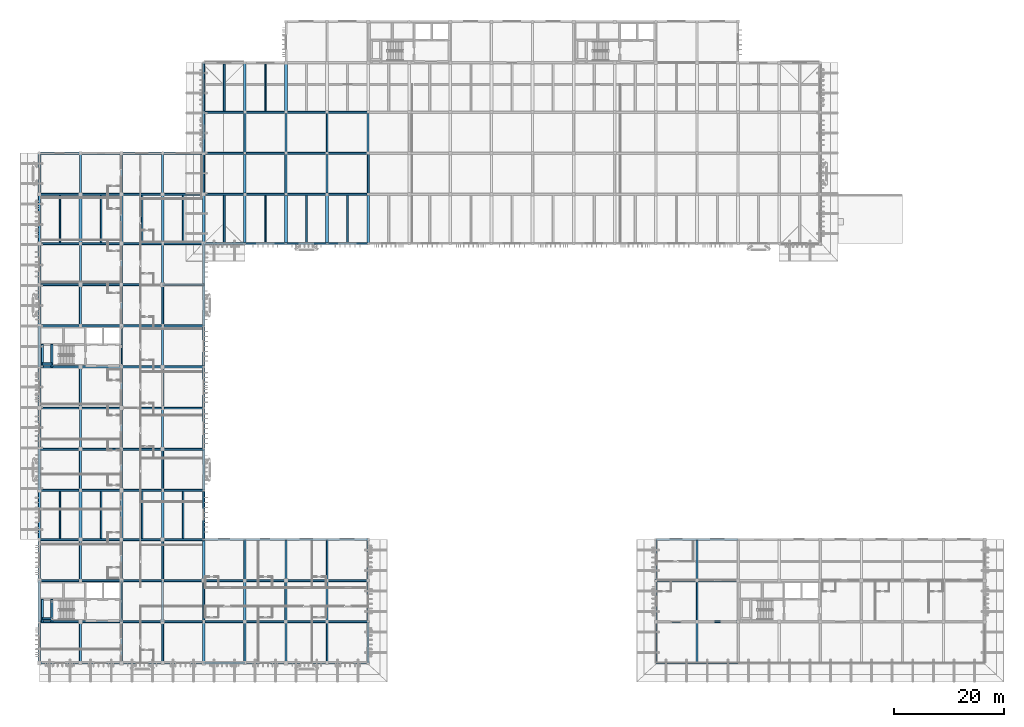
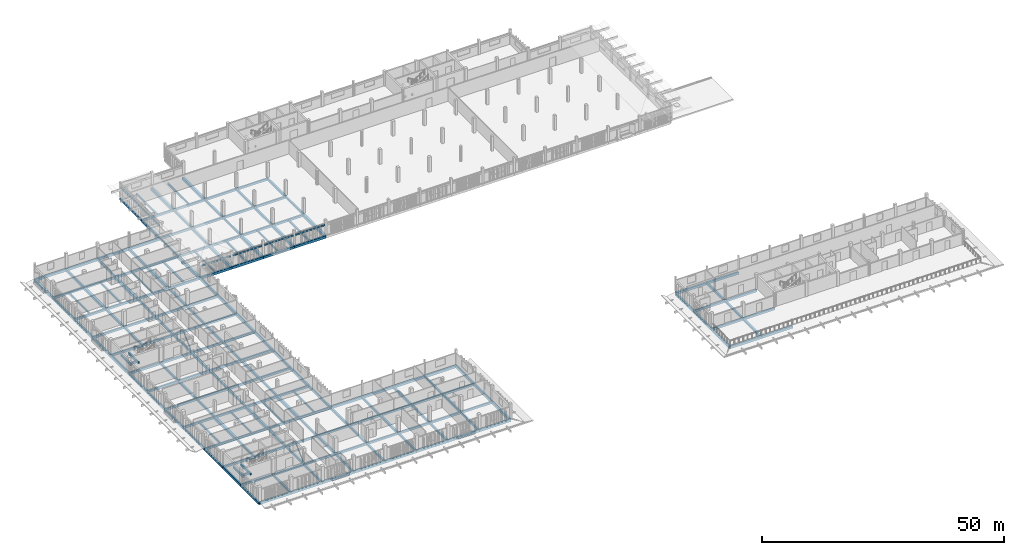
# One storey, part 8 of 43: 210 beams, 4 members.
"""IFC4 building model written with IfcOpenShell, lengths in metres."""

from ifc_helpers import new_model, si_unit, direction, frame, origin, origin_2d, place, context, subcontext, project, spatial, rectangle, hollow_rectangle, hollow_circle, extrude, material, material_profile, profile_set, type_object, element, save


model = new_model("IFC4")

# Units and contexts
model_context = context("Model", 3, precision=1e-05, world=origin(), true_north=direction((0.0, 1.0)))
body_context = subcontext(model_context, "Body", "Model", "MODEL_VIEW")
ifc_project = project(units=[si_unit("LENGTHUNIT", "METRE"), si_unit("AREAUNIT", "SQUARE_METRE"), si_unit("VOLUMEUNIT", "CUBIC_METRE"), si_unit("PLANEANGLEUNIT", "RADIAN"), si_unit("MASSUNIT", "GRAM", prefix="KILO")], contexts=[model_context])

# Site, building, storey
site_placement = place(None, origin())
site = spatial("IfcSite", under=ifc_project, at=site_placement, CompositionType="ELEMENT")
building_placement = place(site_placement, origin())
building = spatial("IfcBuilding", under=site, at=building_placement, Name="Dalvernix Boulevard General Hospital", CompositionType="ELEMENT")
storey_placement = place(building_placement, frame((0.0, 0.0, 14.10009765625)))
storey = spatial("IfcBuildingStorey", under=building, at=storey_placement, Name="L03", CompositionType="ELEMENT", Elevation=14.10009765625)

# Beams
ifc_material_1 = material(Name="Concrete C35/45", Category="concrete")
ifc_material_profile_1 = material_profile(ifc_material_1, rectangle(XDim=0.5, YDim=0.699951171875, at=origin_2d()), Name="RCB 500x700")
ifc_profile_set_1 = profile_set([ifc_material_profile_1], Name="Concrete C35/45")
beam_type_1 = type_object("IfcBeamType", Name="BM-B-01-I", PredefinedType="BEAM", material=ifc_profile_set_1)
for number, where, z_axis, x_axis, name in (
    (1, (7.5, 22.5, -0.60009765625), (0.0, 1.0, 0.0), (-1.0, 0.0, 0.0), "L03 N-S girder 2:D-E"),
    (2, (7.5, 76.5, -0.60009765625), (0.0, 1.0, 0.0), (-1.0, 0.0, 0.0), "L03 N-S girder 2:L-M"),
    (3, (15.0, 22.5, -0.60009765625), (0.0, 1.0, 0.0), (-1.0, 0.0, 0.0), "L03 N-S girder 3:D-E"),
    (4, (15.0, 76.5, -0.60009765625), (0.0, 1.0, 0.0), (-1.0, 0.0, 0.0), "L03 N-S girder 3:L-M"),
    (5, (22.5, 22.5, -0.60009765625), (0.0, 1.0, 0.0), (-1.0, 0.0, 0.0), "L03 N-S girder 4:D-E"),
    (6, (22.5, 76.5, -0.60009765625), (0.0, 1.0, 0.0), (-1.0, 0.0, 0.0), "L03 N-S girder 4:L-M"),
    (7, (30.0, 76.5, -0.60009765625), (0.0, 1.0, 0.0), (-1.0, 0.0, 0.0), "L03 N-S girder 5:L-M"),
    (8, (37.5, 76.5, -0.60009765625), (0.0, 1.0, 0.0), (-1.0, 0.0, 0.0), "L03 N-S girder 6:L-M"),
    (9, (37.5, 100.5, -0.60009765625), (0.0, 1.0, 0.0), (-1.0, 0.0, 0.0), "L03 N-S girder 6:P-Q"),
    (10, (45.0, 76.5, -0.60009765625), (0.0, 1.0, 0.0), (-1.0, 0.0, 0.0), "L03 N-S girder 7:L-M"),
    (11, (45.0, 100.5, -0.60009765625), (0.0, 1.0, 0.0), (-1.0, 0.0, 0.0), "L03 N-S girder 7:P-Q"),
    (12, (52.5, 76.5, -0.60009765625), (0.0, 1.0, 0.0), (-1.0, 0.0, 0.0), "L03 N-S girder 8:L-M"),
    (13, (60.0, 76.5, -0.60009765625), (0.0, 1.0, 0.0), (-1.0, 0.0, 0.0), "L03 N-S girder 9:L-M"),
):
    element("IfcBeam", number, at=place(storey_placement, frame(where, z_axis=z_axis, x_axis=x_axis)), inside=storey, type_object=beam_type_1, Name=name, PredefinedType="BEAM", context=body_context, shape_type="SweptSolid", body=[
        extrude(rectangle(XDim=0.5, YDim=0.699951171875, at=origin_2d()), origin(), (0.0, 0.0, 1.0), 9.0),
    ])
ifc_material_profile_2 = material_profile(ifc_material_1, rectangle(XDim=0.39990234375, YDim=0.550048828125, at=origin_2d()), Name="RCB 400x550")
ifc_profile_set_2 = profile_set([ifc_material_profile_2], Name="Concrete C35/45")
beam_type_2 = type_object("IfcBeamType", Name="BM-B-06-I", PredefinedType="BEAM", material=ifc_profile_set_2)
for number, where, z_axis, x_axis, name in (
    (14, (7.5, 39.0, -0.525146484375), (0.0, 1.0, 0.0), (-1.0, 0.0, 0.0), "L03 N-S girder 2:F-G"),
    (15, (7.5, 69.0, -0.525146484375), (0.0, 1.0, 0.0), (-1.0, 0.0, 0.0), "L03 N-S girder 2:K-L"),
    (16, (7.5, 85.5, -0.525146484375), (0.0, 1.0, 0.0), (-1.0, 0.0, 0.0), "L03 N-S girder 2:M-N"),
    (17, (15.0, 0.0, -0.525146484375), (0.0, 1.0, 0.0), (-1.0, 0.0, 0.0), "L03 N-S girder 3:A-B"),
    (18, (15.0, 15.0, -0.525146484375), (0.0, 1.0, 0.0), (-1.0, 0.0, 0.0), "L03 N-S girder 3:C-D"),
    (19, (15.0, 31.5, -0.525146484375), (0.0, 1.0, 0.0), (-1.0, 0.0, 0.0), "L03 N-S girder 3:E-F"),
    (20, (15.0, 46.5, -0.525146484375), (0.0, 1.0, 0.0), (-1.0, 0.0, 0.0), "L03 N-S girder 3:G-H"),
    (21, (15.0, 61.5, -0.525146484375), (0.0, 1.0, 0.0), (-1.0, 0.0, 0.0), "L03 N-S girder 3:J-K"),
    (22, (22.5, 7.5, -0.525146484375), (0.0, 1.0, 0.0), (-1.0, 0.0, 0.0), "L03 N-S girder 4:B-C"),
    (23, (22.5, 39.0, -0.525146484375), (0.0, 1.0, 0.0), (-1.0, 0.0, 0.0), "L03 N-S girder 4:F-G"),
    (24, (22.5, 54.0, -0.525146484375), (0.0, 1.0, 0.0), (-1.0, 0.0, 0.0), "L03 N-S girder 4:H-J"),
    (25, (22.5, 69.0, -0.525146484375), (0.0, 1.0, 0.0), (-1.0, 0.0, 0.0), "L03 N-S girder 4:K-L"),
    (26, (22.5, 85.5, -0.525146484375), (0.0, 1.0, 0.0), (-1.0, 0.0, 0.0), "L03 N-S girder 4:M-N"),
    (27, (30.0, 0.0, -0.525146484375), (0.0, 1.0, 0.0), (-1.0, 0.0, 0.0), "L03 N-S girder 5:A-B"),
    (28, (30.0, 15.0, -0.525146484375), (0.0, 1.0, 0.0), (-1.0, 0.0, 0.0), "L03 N-S girder 5:C-D"),
    (29, (37.5, 7.5, -0.525146484375), (0.0, 1.0, 0.0), (-1.0, 0.0, 0.0), "L03 N-S girder 6:B-C"),
    (30, (37.5, 85.5, -0.525146484375), (0.0, 1.0, 0.0), (-1.0, 0.0, 0.0), "L03 N-S girder 6:M-N"),
    (31, (45.0, 0.0, -0.525146484375), (0.0, 1.0, 0.0), (-1.0, 0.0, 0.0), "L03 N-S girder 7:A-B"),
    (32, (45.0, 15.0, -0.525146484375), (0.0, 1.0, 0.0), (-1.0, 0.0, 0.0), "L03 N-S girder 7:C-D"),
    (33, (45.0, 93.0, -0.525146484375), (0.0, 1.0, 0.0), (-1.0, 0.0, 0.0), "L03 N-S girder 7:N-P"),
    (34, (52.5, 7.5, -0.525146484375), (0.0, 1.0, 0.0), (-1.0, 0.0, 0.0), "L03 N-S girder 8:B-C"),
    (35, (52.5, 85.5, -0.525146484375), (0.0, 1.0, 0.0), (-1.0, 0.0, 0.0), "L03 N-S girder 8:M-N"),
    (36, (60.0, 93.0, -0.525146484375), (0.0, 1.0, 0.0), (-1.0, 0.0, 0.0), "L03 N-S girder 9:N-P"),
    (37, (120.0, 0.0, -0.525146484375), (0.0, 1.0, 0.0), (-1.0, 0.0, 0.0), "L03 N-S girder 17:A-B"),
    (38, (120.0, 15.0, -0.525146484375), (0.0, 1.0, 0.0), (-1.0, 0.0, 0.0), "L03 N-S girder 17:C-D"),
):
    element("IfcBeam", number, at=place(storey_placement, frame(where, z_axis=z_axis, x_axis=x_axis)), inside=storey, type_object=beam_type_2, Name=name, PredefinedType="BEAM", context=body_context, shape_type="SweptSolid", body=[
        extrude(rectangle(XDim=0.39990234375, YDim=0.550048828125, at=origin_2d()), origin(), (0.0, 0.0, 1.0), 7.5),
    ])
ifc_material_profile_3 = material_profile(ifc_material_1, rectangle(XDim=0.35009765625, YDim=0.550048828125, at=origin_2d()), Name="RCB 350x550")
ifc_profile_set_3 = profile_set([ifc_material_profile_3], Name="Concrete C35/45")
beam_type_3 = type_object("IfcBeamType", Name="BM-B-07-I", PredefinedType="BEAM", material=ifc_profile_set_3)
for number, where, z_axis, x_axis, name in (
    (39, (0.0, 7.5, -0.525146484375), (1.0, 0.0, 0.0), (0.0, 1.0, 0.0), "L03 E-W girder B:1-2"),
    (40, (7.5, 7.5, -0.525146484375), (1.0, 0.0, 0.0), (0.0, 1.0, 0.0), "L03 E-W girder B:2-3"),
    (41, (15.0, 7.5, -0.525146484375), (1.0, 0.0, 0.0), (0.0, 1.0, 0.0), "L03 E-W girder B:3-4"),
    (42, (22.5, 7.5, -0.525146484375), (1.0, 0.0, 0.0), (0.0, 1.0, 0.0), "L03 E-W girder B:4-5"),
    (43, (30.0, 7.5, -0.525146484375), (1.0, 0.0, 0.0), (0.0, 1.0, 0.0), "L03 E-W girder B:5-6"),
    (44, (37.5, 7.5, -0.525146484375), (1.0, 0.0, 0.0), (0.0, 1.0, 0.0), "L03 E-W girder B:6-7"),
    (45, (45.0, 7.5, -0.525146484375), (1.0, 0.0, 0.0), (0.0, 1.0, 0.0), "L03 E-W girder B:7-8"),
    (46, (52.5, 7.5, -0.525146484375), (1.0, 0.0, 0.0), (0.0, 1.0, 0.0), "L03 E-W girder B:8-9"),
    (47, (112.5, 7.5, -0.525146484375), (1.0, 0.0, 0.0), (0.0, 1.0, 0.0), "L03 E-W girder B:16-17"),
    (48, (120.0, 7.5, -0.525146484375), (1.0, 0.0, 0.0), (0.0, 1.0, 0.0), "L03 E-W girder B:17-18"),
    (49, (0.0, 15.0, -0.525146484375), (1.0, 0.0, 0.0), (0.0, 1.0, 0.0), "L03 E-W girder C:1-2"),
    (50, (7.5, 15.0, -0.525146484375), (1.0, 0.0, 0.0), (0.0, 1.0, 0.0), "L03 E-W girder C:2-3"),
    (51, (15.0, 15.0, -0.525146484375), (1.0, 0.0, 0.0), (0.0, 1.0, 0.0), "L03 E-W girder C:3-4"),
    (52, (22.5, 15.0, -0.525146484375), (1.0, 0.0, 0.0), (0.0, 1.0, 0.0), "L03 E-W girder C:4-5"),
    (53, (30.0, 15.0, -0.525146484375), (1.0, 0.0, 0.0), (0.0, 1.0, 0.0), "L03 E-W girder C:5-6"),
    (54, (37.5, 15.0, -0.525146484375), (1.0, 0.0, 0.0), (0.0, 1.0, 0.0), "L03 E-W girder C:6-7"),
    (55, (45.0, 15.0, -0.525146484375), (1.0, 0.0, 0.0), (0.0, 1.0, 0.0), "L03 E-W girder C:7-8"),
    (56, (52.5, 15.0, -0.525146484375), (1.0, 0.0, 0.0), (0.0, 1.0, 0.0), "L03 E-W girder C:8-9"),
    (57, (112.5, 15.0, -0.525146484375), (1.0, 0.0, 0.0), (0.0, 1.0, 0.0), "L03 E-W girder C:16-17"),
    (58, (120.0, 15.0, -0.525146484375), (1.0, 0.0, 0.0), (0.0, 1.0, 0.0), "L03 E-W girder C:17-18"),
    (59, (0.0, 22.5, -0.525146484375), (1.0, 0.0, 0.0), (0.0, 1.0, 0.0), "L03 E-W girder D:1-2"),
    (60, (7.5, 22.5, -0.525146484375), (1.0, 0.0, 0.0), (0.0, 1.0, 0.0), "L03 E-W girder D:2-3"),
    (61, (15.0, 22.5, -0.525146484375), (1.0, 0.0, 0.0), (0.0, 1.0, 0.0), "L03 E-W girder D:3-4"),
    (62, (22.5, 22.5, -0.525146484375), (1.0, 0.0, 0.0), (0.0, 1.0, 0.0), "L03 E-W girder D:4-5"),
    (63, (0.0, 31.5, -0.525146484375), (1.0, 0.0, 0.0), (0.0, 1.0, 0.0), "L03 E-W girder E:1-2"),
    (64, (7.5, 31.5, -0.525146484375), (1.0, 0.0, 0.0), (0.0, 1.0, 0.0), "L03 E-W girder E:2-3"),
    (65, (15.0, 31.5, -0.525146484375), (1.0, 0.0, 0.0), (0.0, 1.0, 0.0), "L03 E-W girder E:3-4"),
    (66, (22.5, 31.5, -0.525146484375), (1.0, 0.0, 0.0), (0.0, 1.0, 0.0), "L03 E-W girder E:4-5"),
    (67, (0.0, 39.0, -0.525146484375), (1.0, 0.0, 0.0), (0.0, 1.0, 0.0), "L03 E-W girder F:1-2"),
    (68, (7.5, 39.0, -0.525146484375), (1.0, 0.0, 0.0), (0.0, 1.0, 0.0), "L03 E-W girder F:2-3"),
    (69, (15.0, 39.0, -0.525146484375), (1.0, 0.0, 0.0), (0.0, 1.0, 0.0), "L03 E-W girder F:3-4"),
    (70, (22.5, 39.0, -0.525146484375), (1.0, 0.0, 0.0), (0.0, 1.0, 0.0), "L03 E-W girder F:4-5"),
    (71, (0.0, 46.5, -0.525146484375), (1.0, 0.0, 0.0), (0.0, 1.0, 0.0), "L03 E-W girder G:1-2"),
    (72, (7.5, 46.5, -0.525146484375), (1.0, 0.0, 0.0), (0.0, 1.0, 0.0), "L03 E-W girder G:2-3"),
    (73, (15.0, 46.5, -0.525146484375), (1.0, 0.0, 0.0), (0.0, 1.0, 0.0), "L03 E-W girder G:3-4"),
    (74, (22.5, 46.5, -0.525146484375), (1.0, 0.0, 0.0), (0.0, 1.0, 0.0), "L03 E-W girder G:4-5"),
    (75, (0.0, 54.0, -0.525146484375), (1.0, 0.0, 0.0), (0.0, 1.0, 0.0), "L03 E-W girder H:1-2"),
    (76, (7.5, 54.0, -0.525146484375), (1.0, 0.0, 0.0), (0.0, 1.0, 0.0), "L03 E-W girder H:2-3"),
    (77, (15.0, 54.0, -0.525146484375), (1.0, 0.0, 0.0), (0.0, 1.0, 0.0), "L03 E-W girder H:3-4"),
    (78, (22.5, 54.0, -0.525146484375), (1.0, 0.0, 0.0), (0.0, 1.0, 0.0), "L03 E-W girder H:4-5"),
    (79, (0.0, 61.5, -0.525146484375), (1.0, 0.0, 0.0), (0.0, 1.0, 0.0), "L03 E-W girder J:1-2"),
    (80, (7.5, 61.5, -0.525146484375), (1.0, 0.0, 0.0), (0.0, 1.0, 0.0), "L03 E-W girder J:2-3"),
    (81, (15.0, 61.5, -0.525146484375), (1.0, 0.0, 0.0), (0.0, 1.0, 0.0), "L03 E-W girder J:3-4"),
    (82, (22.5, 61.5, -0.525146484375), (1.0, 0.0, 0.0), (0.0, 1.0, 0.0), "L03 E-W girder J:4-5"),
    (83, (0.0, 69.0, -0.525146484375), (1.0, 0.0, 0.0), (0.0, 1.0, 0.0), "L03 E-W girder K:1-2"),
    (84, (7.5, 69.0, -0.525146484375), (1.0, 0.0, 0.0), (0.0, 1.0, 0.0), "L03 E-W girder K:2-3"),
    (85, (15.0, 69.0, -0.525146484375), (1.0, 0.0, 0.0), (0.0, 1.0, 0.0), "L03 E-W girder K:3-4"),
    (86, (22.5, 69.0, -0.525146484375), (1.0, 0.0, 0.0), (0.0, 1.0, 0.0), "L03 E-W girder K:4-5"),
    (87, (0.0, 76.5, -0.525146484375), (1.0, 0.0, 0.0), (0.0, 1.0, 0.0), "L03 E-W girder L:1-2"),
    (88, (7.5, 76.5, -0.525146484375), (1.0, 0.0, 0.0), (0.0, 1.0, 0.0), "L03 E-W girder L:2-3"),
    (89, (15.0, 76.5, -0.525146484375), (1.0, 0.0, 0.0), (0.0, 1.0, 0.0), "L03 E-W girder L:3-4"),
    (90, (22.5, 76.5, -0.525146484375), (1.0, 0.0, 0.0), (0.0, 1.0, 0.0), "L03 E-W girder L:4-5"),
    (91, (0.0, 85.5, -0.525146484375), (1.0, 0.0, 0.0), (0.0, 1.0, 0.0), "L03 E-W girder M:1-2"),
    (92, (7.5, 85.5, -0.525146484375), (1.0, 0.0, 0.0), (0.0, 1.0, 0.0), "L03 E-W girder M:2-3"),
    (93, (15.0, 85.5, -0.525146484375), (1.0, 0.0, 0.0), (0.0, 1.0, 0.0), "L03 E-W girder M:3-4"),
    (94, (22.5, 85.5, -0.525146484375), (1.0, 0.0, 0.0), (0.0, 1.0, 0.0), "L03 E-W girder M:4-5"),
    (95, (30.0, 85.5, -0.525146484375), (1.0, 0.0, 0.0), (0.0, 1.0, 0.0), "L03 E-W girder M:5-6"),
    (96, (37.5, 85.5, -0.525146484375), (1.0, 0.0, 0.0), (0.0, 1.0, 0.0), "L03 E-W girder M:6-7"),
    (97, (45.0, 85.5, -0.525146484375), (1.0, 0.0, 0.0), (0.0, 1.0, 0.0), "L03 E-W girder M:7-8"),
    (98, (52.5, 85.5, -0.525146484375), (1.0, 0.0, 0.0), (0.0, 1.0, 0.0), "L03 E-W girder M:8-9"),
    (99, (30.0, 93.0, -0.525146484375), (1.0, 0.0, 0.0), (0.0, 1.0, 0.0), "L03 E-W girder N:5-6"),
    (100, (37.5, 93.0, -0.525146484375), (1.0, 0.0, 0.0), (0.0, 1.0, 0.0), "L03 E-W girder N:6-7"),
    (101, (45.0, 93.0, -0.525146484375), (1.0, 0.0, 0.0), (0.0, 1.0, 0.0), "L03 E-W girder N:7-8"),
    (102, (52.5, 93.0, -0.525146484375), (1.0, 0.0, 0.0), (0.0, 1.0, 0.0), "L03 E-W girder N:8-9"),
    (103, (30.0, 100.5, -0.525146484375), (1.0, 0.0, 0.0), (0.0, 1.0, 0.0), "L03 E-W girder P:5-6"),
    (104, (37.5, 100.5, -0.525146484375), (1.0, 0.0, 0.0), (0.0, 1.0, 0.0), "L03 E-W girder P:6-7"),
    (105, (45.0, 100.5, -0.525146484375), (1.0, 0.0, 0.0), (0.0, 1.0, 0.0), "L03 E-W girder P:7-8"),
    (106, (52.5, 100.5, -0.525146484375), (1.0, 0.0, 0.0), (0.0, 1.0, 0.0), "L03 E-W girder P:8-9"),
):
    element("IfcBeam", number, at=place(storey_placement, frame(where, z_axis=z_axis, x_axis=x_axis)), inside=storey, type_object=beam_type_3, Name=name, PredefinedType="BEAM", context=body_context, shape_type="SweptSolid", body=[
        extrude(rectangle(XDim=0.35009765625, YDim=0.550048828125, at=origin_2d()), origin(), (0.0, 0.0, 1.0), 7.5),
    ])
ifc_material_profile_4 = material_profile(ifc_material_1, rectangle(XDim=0.35009765625, YDim=0.5, at=origin_2d()), Name="RCB 350x500")
ifc_profile_set_4 = profile_set([ifc_material_profile_4], Name="Concrete C35/45")
beam_type_4 = type_object("IfcBeamType", Name="BM-B-08", PredefinedType="BEAM", material=ifc_profile_set_4)
for number, where, z_axis, x_axis, name in (
    (107, (0.550048828125, 7.5, 1.4248046875), (0.0, 1.0, 0.0), (-1.0, 0.0, 0.0), "L03 C1 stair half-landing beam 1"),
    (108, (2.300048828125, 7.5, 1.4248046875), (0.0, 1.0, 0.0), (-1.0, 0.0, 0.0), "L03 C1 stair half-landing beam 2"),
):
    element("IfcBeam", number, at=place(storey_placement, frame(where, z_axis=z_axis, x_axis=x_axis)), inside=storey, type_object=beam_type_4, Name=name, PredefinedType="BEAM", context=body_context, shape_type="SweptSolid", body=[
        extrude(rectangle(XDim=0.35009765625, YDim=0.5, at=origin_2d()), origin(), (0.0, 0.0, 1.0), 4.10009765625),
    ])
beam_1_placement = place(storey_placement, frame((0.550048828125, 8.050048828125, 1.4248046875), z_axis=(1.0, 0.0, 0.0), x_axis=(0.0, 1.0, 0.0)))
element("IfcBeam", 109, at=beam_1_placement, inside=storey, type_object=beam_type_4, Name="L03 C1 stair half-landing tie beam", PredefinedType="BEAM", context=body_context, shape_type="SweptSolid", body=[
    extrude(rectangle(XDim=0.35009765625, YDim=0.5, at=origin_2d()), origin(), (0.0, 0.0, 1.0), 1.75),
])
for number, where, z_axis, x_axis, name in (
    (110, (0.550048828125, 54.0, 1.4248046875), (0.0, 1.0, 0.0), (-1.0, 0.0, 0.0), "L03 C2 stair half-landing beam 1"),
    (111, (2.300048828125, 54.0, 1.4248046875), (0.0, 1.0, 0.0), (-1.0, 0.0, 0.0), "L03 C2 stair half-landing beam 2"),
):
    element("IfcBeam", number, at=place(storey_placement, frame(where, z_axis=z_axis, x_axis=x_axis)), inside=storey, type_object=beam_type_4, Name=name, PredefinedType="BEAM", context=body_context, shape_type="SweptSolid", body=[
        extrude(rectangle(XDim=0.35009765625, YDim=0.5, at=origin_2d()), origin(), (0.0, 0.0, 1.0), 4.10009765625),
    ])
beam_2_placement = place(storey_placement, frame((0.550048828125, 54.550048828125, 1.4248046875), z_axis=(1.0, 0.0, 0.0), x_axis=(0.0, 1.0, 0.0)))
element("IfcBeam", 112, at=beam_2_placement, inside=storey, type_object=beam_type_4, Name="L03 C2 stair half-landing tie beam", PredefinedType="BEAM", context=body_context, shape_type="SweptSolid", body=[
    extrude(rectangle(XDim=0.35009765625, YDim=0.5, at=origin_2d()), origin(), (0.0, 0.0, 1.0), 1.75),
])
ifc_material_profile_5 = material_profile(ifc_material_1, rectangle(XDim=0.35009765625, YDim=0.5, at=origin_2d()), Name="RCB 350x500")
ifc_profile_set_5 = profile_set([ifc_material_profile_5], Name="Concrete C35/45")
beam_type_5 = type_object("IfcBeamType", Name="BM-B-08-I", PredefinedType="BEAM", material=ifc_profile_set_5)
for number, where, z_axis, x_axis, name in (
    (113, (7.5, 0.0, -0.5), (0.0, 1.0, 0.0), (-1.0, 0.0, 0.0), "L03 N-S girder 2:A-B"),
    (114, (7.5, 15.0, -0.5), (0.0, 1.0, 0.0), (-1.0, 0.0, 0.0), "L03 N-S girder 2:C-D"),
    (115, (7.5, 31.5, -0.5), (0.0, 1.0, 0.0), (-1.0, 0.0, 0.0), "L03 N-S girder 2:E-F"),
    (116, (7.5, 46.5, -0.5), (0.0, 1.0, 0.0), (-1.0, 0.0, 0.0), "L03 N-S girder 2:G-H"),
    (117, (7.5, 61.5, -0.5), (0.0, 1.0, 0.0), (-1.0, 0.0, 0.0), "L03 N-S girder 2:J-K"),
    (118, (15.0, 7.5, -0.5), (0.0, 1.0, 0.0), (-1.0, 0.0, 0.0), "L03 N-S girder 3:B-C"),
    (119, (15.0, 39.0, -0.5), (0.0, 1.0, 0.0), (-1.0, 0.0, 0.0), "L03 N-S girder 3:F-G"),
    (120, (15.0, 54.0, -0.5), (0.0, 1.0, 0.0), (-1.0, 0.0, 0.0), "L03 N-S girder 3:H-J"),
    (121, (15.0, 69.0, -0.5), (0.0, 1.0, 0.0), (-1.0, 0.0, 0.0), "L03 N-S girder 3:K-L"),
    (122, (15.0, 85.5, -0.5), (0.0, 1.0, 0.0), (-1.0, 0.0, 0.0), "L03 N-S girder 3:M-N"),
    (123, (22.5, 0.0, -0.5), (0.0, 1.0, 0.0), (-1.0, 0.0, 0.0), "L03 N-S girder 4:A-B"),
    (124, (22.5, 15.0, -0.5), (0.0, 1.0, 0.0), (-1.0, 0.0, 0.0), "L03 N-S girder 4:C-D"),
    (125, (22.5, 31.5, -0.5), (0.0, 1.0, 0.0), (-1.0, 0.0, 0.0), "L03 N-S girder 4:E-F"),
    (126, (22.5, 46.5, -0.5), (0.0, 1.0, 0.0), (-1.0, 0.0, 0.0), "L03 N-S girder 4:G-H"),
    (127, (22.5, 61.5, -0.5), (0.0, 1.0, 0.0), (-1.0, 0.0, 0.0), "L03 N-S girder 4:J-K"),
    (128, (30.0, 7.5, -0.5), (0.0, 1.0, 0.0), (-1.0, 0.0, 0.0), "L03 N-S girder 5:B-C"),
    (129, (30.0, 85.5, -0.5), (0.0, 1.0, 0.0), (-1.0, 0.0, 0.0), "L03 N-S girder 5:M-N"),
    (130, (37.5, 0.0, -0.5), (0.0, 1.0, 0.0), (-1.0, 0.0, 0.0), "L03 N-S girder 6:A-B"),
    (131, (37.5, 15.0, -0.5), (0.0, 1.0, 0.0), (-1.0, 0.0, 0.0), "L03 N-S girder 6:C-D"),
    (132, (37.5, 93.0, -0.5), (0.0, 1.0, 0.0), (-1.0, 0.0, 0.0), "L03 N-S girder 6:N-P"),
    (133, (45.0, 7.5, -0.5), (0.0, 1.0, 0.0), (-1.0, 0.0, 0.0), "L03 N-S girder 7:B-C"),
    (134, (45.0, 85.5, -0.5), (0.0, 1.0, 0.0), (-1.0, 0.0, 0.0), "L03 N-S girder 7:M-N"),
    (135, (52.5, 0.0, -0.5), (0.0, 1.0, 0.0), (-1.0, 0.0, 0.0), "L03 N-S girder 8:A-B"),
    (136, (52.5, 15.0, -0.5), (0.0, 1.0, 0.0), (-1.0, 0.0, 0.0), "L03 N-S girder 8:C-D"),
    (137, (52.5, 93.0, -0.5), (0.0, 1.0, 0.0), (-1.0, 0.0, 0.0), "L03 N-S girder 8:N-P"),
    (138, (60.0, 85.5, -0.5), (0.0, 1.0, 0.0), (-1.0, 0.0, 0.0), "L03 N-S girder 9:M-N"),
    (139, (120.0, 7.5, -0.5), (0.0, 1.0, 0.0), (-1.0, 0.0, 0.0), "L03 N-S girder 17:B-C"),
):
    element("IfcBeam", number, at=place(storey_placement, frame(where, z_axis=z_axis, x_axis=x_axis)), inside=storey, type_object=beam_type_5, Name=name, PredefinedType="BEAM", context=body_context, shape_type="SweptSolid", body=[
        extrude(rectangle(XDim=0.35009765625, YDim=0.5, at=origin_2d()), origin(), (0.0, 0.0, 1.0), 7.5),
    ])
ifc_material_profile_6 = material_profile(ifc_material_1, rectangle(XDim=0.300048828125, YDim=0.39990234375, at=origin_2d()), Name="RCB 300x400")
ifc_profile_set_6 = profile_set([ifc_material_profile_6], Name="Concrete C35/45")
beam_type_6 = type_object("IfcBeamType", Name="BM-JB-01", PredefinedType="JOIST", material=ifc_profile_set_6)
for number, where, z_axis, x_axis, name in (
    (140, (3.75, 22.675048828125, -0.4501953125), (0.0, 1.0, 0.0), (-1.0, 0.0, 0.0), "L03 secondary floor beam 1-D"),
    (141, (3.75, 76.675048828125, -0.4501953125), (0.0, 1.0, 0.0), (-1.0, 0.0, 0.0), "L03 secondary floor beam 1-L"),
    (142, (11.25, 22.675048828125, -0.4501953125), (0.0, 1.0, 0.0), (-1.0, 0.0, 0.0), "L03 secondary floor beam 2-D"),
    (143, (11.25, 76.675048828125, -0.4501953125), (0.0, 1.0, 0.0), (-1.0, 0.0, 0.0), "L03 secondary floor beam 2-L"),
    (144, (18.75, 22.675048828125, -0.4501953125), (0.0, 1.0, 0.0), (-1.0, 0.0, 0.0), "L03 secondary floor beam 3-D"),
    (145, (18.75, 76.675048828125, -0.4501953125), (0.0, 1.0, 0.0), (-1.0, 0.0, 0.0), "L03 secondary floor beam 3-L"),
    (146, (26.25, 22.675048828125, -0.4501953125), (0.0, 1.0, 0.0), (-1.0, 0.0, 0.0), "L03 secondary floor beam 4-D"),
    (147, (26.25, 76.675048828125, -0.4501953125), (0.0, 1.0, 0.0), (-1.0, 0.0, 0.0), "L03 secondary floor beam 4-L"),
):
    element("IfcBeam", number, at=place(storey_placement, frame(where, z_axis=z_axis, x_axis=x_axis)), inside=storey, type_object=beam_type_6, Name=name, PredefinedType="JOIST", context=body_context, shape_type="SweptSolid", body=[
        extrude(rectangle(XDim=0.300048828125, YDim=0.39990234375, at=origin_2d()), origin(), (0.0, 0.0, 1.0), 8.64990234375),
    ])
for number, where, z_axis, x_axis, name in (
    (148, (33.75, 76.699951171875, -0.4501953125), (0.0, 1.0, 0.0), (-1.0, 0.0, 0.0), "L03 secondary floor beam 5-L"),
    (149, (33.75, 100.675048828125, -0.4501953125), (0.0, 1.0, 0.0), (-1.0, 0.0, 0.0), "L03 secondary floor beam 5-P"),
    (150, (41.25, 76.699951171875, -0.4501953125), (0.0, 1.0, 0.0), (-1.0, 0.0, 0.0), "L03 secondary floor beam 6-L"),
    (151, (41.25, 100.675048828125, -0.4501953125), (0.0, 1.0, 0.0), (-1.0, 0.0, 0.0), "L03 secondary floor beam 6-P"),
    (152, (48.75, 76.699951171875, -0.4501953125), (0.0, 1.0, 0.0), (-1.0, 0.0, 0.0), "L03 secondary floor beam 7-L"),
    (153, (56.25, 76.699951171875, -0.4501953125), (0.0, 1.0, 0.0), (-1.0, 0.0, 0.0), "L03 secondary floor beam 8-L"),
):
    element("IfcBeam", number, at=place(storey_placement, frame(where, z_axis=z_axis, x_axis=x_axis)), inside=storey, type_object=beam_type_6, Name=name, PredefinedType="JOIST", context=body_context, shape_type="SweptSolid", body=[
        extrude(rectangle(XDim=0.300048828125, YDim=0.39990234375, at=origin_2d()), origin(), (0.0, 0.0, 1.0), 8.625),
    ])
ifc_material_2 = material(Name="Precast concrete C40/50", Category="concrete")
ifc_material_profile_7 = material_profile(ifc_material_2, rectangle(XDim=0.300048828125, YDim=0.3798828125, at=origin_2d()), Name="RCL 300x380")
ifc_profile_set_7 = profile_set([ifc_material_profile_7], Name="Precast concrete C40/50")
beam_type_7 = type_object("IfcBeamType", Name="BM-LB-02", PredefinedType="LINTEL", material=ifc_profile_set_7)
beam_3_placement = place(storey_placement, frame((37.264892578125, 76.5, 2.489990234375), z_axis=(-1.0, 0.0, 0.0), x_axis=(0.0, -1.0, 0.0)))
element("IfcBeam", 154, at=beam_3_placement, inside=storey, type_object=beam_type_7, Name="L03 precast window lintel S 4-10", PredefinedType="LINTEL", context=body_context, shape_type="SweptSolid", body=[
    extrude(rectangle(XDim=0.300048828125, YDim=0.3798828125, at=origin_2d()), origin(), (0.0, 0.0, 1.0), 6.8798828125),
])
beam_4_placement = place(storey_placement, frame((30.0, 93.31005859375, 2.489990234375), z_axis=(0.0, 1.0, 0.0), x_axis=(-1.0, 0.0, 0.0)))
element("IfcBeam", 155, at=beam_4_placement, inside=storey, type_object=beam_type_7, Name="L03 precast window lintel W 4-12", PredefinedType="LINTEL", context=body_context, shape_type="SweptSolid", body=[
    extrude(rectangle(XDim=0.300048828125, YDim=0.3798828125, at=origin_2d()), origin(), (0.0, 0.0, 1.0), 6.954833984375),
])
beam_5_placement = place(storey_placement, frame((30.0, 100.735107421875, 2.489990234375), z_axis=(0.0, 1.0, 0.0), x_axis=(-1.0, 0.0, 0.0)))
element("IfcBeam", 156, at=beam_5_placement, inside=storey, type_object=beam_type_7, Name="L03 precast window lintel W 4-13", PredefinedType="LINTEL", context=body_context, shape_type="SweptSolid", body=[
    extrude(rectangle(XDim=0.300048828125, YDim=0.3798828125, at=origin_2d()), origin(), (0.0, 0.0, 1.0), 8.52978515625),
])
for number, where, z_axis, x_axis, name in (
    (157, (44.764892578125, 76.5, 2.489990234375), (-1.0, 0.0, 0.0), (0.0, -1.0, 0.0), "L03 precast window lintel S 5-10"),
    (158, (52.264892578125, 76.5, 2.489990234375), (-1.0, 0.0, 0.0), (0.0, -1.0, 0.0), "L03 precast window lintel S 6-10"),
    (159, (59.764892578125, 76.5, 2.489990234375), (-1.0, 0.0, 0.0), (0.0, -1.0, 0.0), "L03 precast window lintel S 7-10"),
):
    element("IfcBeam", number, at=place(storey_placement, frame(where, z_axis=z_axis, x_axis=x_axis)), inside=storey, type_object=beam_type_7, Name=name, PredefinedType="LINTEL", context=body_context, shape_type="SweptSolid", body=[
        extrude(rectangle(XDim=0.300048828125, YDim=0.3798828125, at=origin_2d()), origin(), (0.0, 0.0, 1.0), 7.02978515625),
    ])
ifc_material_profile_8 = material_profile(ifc_material_1, rectangle(XDim=0.35009765625, YDim=0.550048828125, at=origin_2d()), Name="RCB 350x550")
ifc_profile_set_8 = profile_set([ifc_material_profile_8], Name="Concrete C35/45")
beam_type_8 = type_object("IfcBeamType", Name="BM-SB-01-E", PredefinedType="SPANDREL", material=ifc_profile_set_8)
for number, where, z_axis, x_axis, name in (
    (160, (0.0, 22.5, -0.525146484375), (0.0, 1.0, 0.0), (-1.0, 0.0, 0.0), "L03 N-S girder 1:D-E"),
    (161, (0.0, 76.5, -0.525146484375), (0.0, 1.0, 0.0), (-1.0, 0.0, 0.0), "L03 N-S girder 1:L-M"),
    (162, (30.0, 22.5, -0.525146484375), (0.0, 1.0, 0.0), (-1.0, 0.0, 0.0), "L03 N-S girder 5:D-E"),
    (163, (30.0, 100.5, -0.525146484375), (0.0, 1.0, 0.0), (-1.0, 0.0, 0.0), "L03 N-S girder 5:P-Q"),
):
    element("IfcBeam", number, at=place(storey_placement, frame(where, z_axis=z_axis, x_axis=x_axis)), inside=storey, type_object=beam_type_8, Name=name, PredefinedType="SPANDREL", context=body_context, shape_type="SweptSolid", body=[
        extrude(rectangle(XDim=0.35009765625, YDim=0.550048828125, at=origin_2d()), origin(), (0.0, 0.0, 1.0), 9.0),
    ])
ifc_material_profile_9 = material_profile(ifc_material_1, rectangle(XDim=0.39990234375, YDim=0.60009765625, at=origin_2d()), Name="RCB 400x600")
ifc_profile_set_9 = profile_set([ifc_material_profile_9], Name="Concrete C35/45")
beam_type_9 = type_object("IfcBeamType", Name="BM-SB-02-E", PredefinedType="SPANDREL", material=ifc_profile_set_9)
for number, where, z_axis, x_axis, name in (
    (164, (0.0, 0.0, -0.550048828125), (1.0, 0.0, 0.0), (0.0, 1.0, 0.0), "L03 E-W girder A:1-2"),
    (165, (7.5, 0.0, -0.550048828125), (1.0, 0.0, 0.0), (0.0, 1.0, 0.0), "L03 E-W girder A:2-3"),
    (166, (15.0, 0.0, -0.550048828125), (1.0, 0.0, 0.0), (0.0, 1.0, 0.0), "L03 E-W girder A:3-4"),
    (167, (22.5, 0.0, -0.550048828125), (1.0, 0.0, 0.0), (0.0, 1.0, 0.0), "L03 E-W girder A:4-5"),
    (168, (30.0, 0.0, -0.550048828125), (1.0, 0.0, 0.0), (0.0, 1.0, 0.0), "L03 E-W girder A:5-6"),
    (169, (37.5, 0.0, -0.550048828125), (1.0, 0.0, 0.0), (0.0, 1.0, 0.0), "L03 E-W girder A:6-7"),
    (170, (45.0, 0.0, -0.550048828125), (1.0, 0.0, 0.0), (0.0, 1.0, 0.0), "L03 E-W girder A:7-8"),
    (171, (52.5, 0.0, -0.550048828125), (1.0, 0.0, 0.0), (0.0, 1.0, 0.0), "L03 E-W girder A:8-9"),
    (172, (112.5, 0.0, -0.550048828125), (1.0, 0.0, 0.0), (0.0, 1.0, 0.0), "L03 E-W girder A:16-17"),
    (173, (120.0, 0.0, -0.550048828125), (1.0, 0.0, 0.0), (0.0, 1.0, 0.0), "L03 E-W girder A:17-18"),
    (174, (30.0, 22.5, -0.550048828125), (1.0, 0.0, 0.0), (0.0, 1.0, 0.0), "L03 E-W girder D:5-6"),
    (175, (37.5, 22.5, -0.550048828125), (1.0, 0.0, 0.0), (0.0, 1.0, 0.0), "L03 E-W girder D:6-7"),
    (176, (45.0, 22.5, -0.550048828125), (1.0, 0.0, 0.0), (0.0, 1.0, 0.0), "L03 E-W girder D:7-8"),
    (177, (52.5, 22.5, -0.550048828125), (1.0, 0.0, 0.0), (0.0, 1.0, 0.0), "L03 E-W girder D:8-9"),
    (178, (112.5, 22.5, -0.550048828125), (1.0, 0.0, 0.0), (0.0, 1.0, 0.0), "L03 E-W girder D:16-17"),
    (179, (120.0, 22.5, -0.550048828125), (1.0, 0.0, 0.0), (0.0, 1.0, 0.0), "L03 E-W girder D:17-18"),
    (180, (30.0, 76.5, -0.550048828125), (1.0, 0.0, 0.0), (0.0, 1.0, 0.0), "L03 E-W girder L:5-6"),
    (181, (37.5, 76.5, -0.550048828125), (1.0, 0.0, 0.0), (0.0, 1.0, 0.0), "L03 E-W girder L:6-7"),
    (182, (45.0, 76.5, -0.550048828125), (1.0, 0.0, 0.0), (0.0, 1.0, 0.0), "L03 E-W girder L:7-8"),
    (183, (52.5, 76.5, -0.550048828125), (1.0, 0.0, 0.0), (0.0, 1.0, 0.0), "L03 E-W girder L:8-9"),
    (184, (0.0, 93.0, -0.550048828125), (1.0, 0.0, 0.0), (0.0, 1.0, 0.0), "L03 E-W girder N:1-2"),
    (185, (7.5, 93.0, -0.550048828125), (1.0, 0.0, 0.0), (0.0, 1.0, 0.0), "L03 E-W girder N:2-3"),
    (186, (15.0, 93.0, -0.550048828125), (1.0, 0.0, 0.0), (0.0, 1.0, 0.0), "L03 E-W girder N:3-4"),
    (187, (22.5, 93.0, -0.550048828125), (1.0, 0.0, 0.0), (0.0, 1.0, 0.0), "L03 E-W girder N:4-5"),
    (188, (0.0, 0.0, -0.550048828125), (0.0, 1.0, 0.0), (-1.0, 0.0, 0.0), "L03 N-S girder 1:A-B"),
    (189, (0.0, 7.5, -0.550048828125), (0.0, 1.0, 0.0), (-1.0, 0.0, 0.0), "L03 N-S girder 1:B-C"),
    (190, (0.0, 15.0, -0.550048828125), (0.0, 1.0, 0.0), (-1.0, 0.0, 0.0), "L03 N-S girder 1:C-D"),
    (191, (0.0, 31.5, -0.550048828125), (0.0, 1.0, 0.0), (-1.0, 0.0, 0.0), "L03 N-S girder 1:E-F"),
    (192, (0.0, 39.0, -0.550048828125), (0.0, 1.0, 0.0), (-1.0, 0.0, 0.0), "L03 N-S girder 1:F-G"),
    (193, (0.0, 46.5, -0.550048828125), (0.0, 1.0, 0.0), (-1.0, 0.0, 0.0), "L03 N-S girder 1:G-H"),
    (194, (0.0, 54.0, -0.550048828125), (0.0, 1.0, 0.0), (-1.0, 0.0, 0.0), "L03 N-S girder 1:H-J"),
    (195, (0.0, 61.5, -0.550048828125), (0.0, 1.0, 0.0), (-1.0, 0.0, 0.0), "L03 N-S girder 1:J-K"),
    (196, (0.0, 69.0, -0.550048828125), (0.0, 1.0, 0.0), (-1.0, 0.0, 0.0), "L03 N-S girder 1:K-L"),
    (197, (0.0, 85.5, -0.550048828125), (0.0, 1.0, 0.0), (-1.0, 0.0, 0.0), "L03 N-S girder 1:M-N"),
    (198, (30.0, 31.5, -0.550048828125), (0.0, 1.0, 0.0), (-1.0, 0.0, 0.0), "L03 N-S girder 5:E-F"),
    (199, (30.0, 39.0, -0.550048828125), (0.0, 1.0, 0.0), (-1.0, 0.0, 0.0), "L03 N-S girder 5:F-G"),
    (200, (30.0, 46.5, -0.550048828125), (0.0, 1.0, 0.0), (-1.0, 0.0, 0.0), "L03 N-S girder 5:G-H"),
    (201, (30.0, 54.0, -0.550048828125), (0.0, 1.0, 0.0), (-1.0, 0.0, 0.0), "L03 N-S girder 5:H-J"),
    (202, (30.0, 61.5, -0.550048828125), (0.0, 1.0, 0.0), (-1.0, 0.0, 0.0), "L03 N-S girder 5:J-K"),
    (203, (30.0, 69.0, -0.550048828125), (0.0, 1.0, 0.0), (-1.0, 0.0, 0.0), "L03 N-S girder 5:K-L"),
    (204, (30.0, 93.0, -0.550048828125), (0.0, 1.0, 0.0), (-1.0, 0.0, 0.0), "L03 N-S girder 5:N-P"),
    (205, (60.0, 0.0, -0.550048828125), (0.0, 1.0, 0.0), (-1.0, 0.0, 0.0), "L03 N-S girder 9:A-B"),
    (206, (60.0, 7.5, -0.550048828125), (0.0, 1.0, 0.0), (-1.0, 0.0, 0.0), "L03 N-S girder 9:B-C"),
    (207, (60.0, 15.0, -0.550048828125), (0.0, 1.0, 0.0), (-1.0, 0.0, 0.0), "L03 N-S girder 9:C-D"),
    (208, (112.5, 0.0, -0.550048828125), (0.0, 1.0, 0.0), (-1.0, 0.0, 0.0), "L03 N-S girder 16:A-B"),
    (209, (112.5, 7.5, -0.550048828125), (0.0, 1.0, 0.0), (-1.0, 0.0, 0.0), "L03 N-S girder 16:B-C"),
    (210, (112.5, 15.0, -0.550048828125), (0.0, 1.0, 0.0), (-1.0, 0.0, 0.0), "L03 N-S girder 16:C-D"),
):
    element("IfcBeam", number, at=place(storey_placement, frame(where, z_axis=z_axis, x_axis=x_axis)), inside=storey, type_object=beam_type_9, Name=name, PredefinedType="SPANDREL", context=body_context, shape_type="SweptSolid", body=[
        extrude(rectangle(XDim=0.39990234375, YDim=0.60009765625, at=origin_2d()), origin(), (0.0, 0.0, 1.0), 7.5),
    ])

# Members
ifc_material_3 = material(Name="Steel S355", Category="steel")
ifc_material_profile_10 = material_profile(ifc_material_3, hollow_circle(Radius=0.136474609375, WallThickness=0.010009765625, at=origin_2d()), Name="CHS 273.0x10.0")
ifc_profile_set_10 = profile_set([ifc_material_profile_10], Name="Steel S355")
member_type_1 = type_object("IfcMemberType", Name="MEM-BR-01", PredefinedType="BRACE", material=ifc_profile_set_10)
for number, where, z_axis, x_axis, name in (
    (211, (15.0, 7.85009765625, 0.0), (0.0, 0.73679825598, 0.676112660719), (-1.0, 0.0, 0.0), "L03 braced frame chevron 1A"),
    (212, (15.0, 14.64990234375, 0.0), (0.0, -0.73679825598, 0.676112660719), (1.0, 0.0, 0.0), "L03 braced frame chevron 1B"),
):
    element("IfcMember", number, at=place(storey_placement, frame(where, z_axis=z_axis, x_axis=x_axis)), inside=storey, type_object=member_type_1, Name=name, PredefinedType="BRACE", context=body_context, shape_type="SweptSolid", body=[
        extrude(hollow_circle(Radius=0.136474609375, WallThickness=0.010009765625, at=origin_2d()), origin(), (0.0, 0.0, 1.0), 4.614501953125),
    ])
ifc_material_profile_11 = material_profile(ifc_material_3, hollow_rectangle(XDim=0.199951171875, YDim=0.199951171875, WallThickness=0.010009765625, at=origin_2d()), Name="SHS 200x200x10.0")
ifc_profile_set_11 = profile_set([ifc_material_profile_11], Name="Steel S355")
member_type_2 = type_object("IfcMemberType", Name="MEM-BR-02", PredefinedType="BRACE", material=ifc_profile_set_11)
for number, where, z_axis, x_axis, name in (
    (213, (15.0, 54.35009765625, 0.0), (0.0, 0.73679825598, 0.676112660719), (-1.0, 0.0, 0.0), "L03 braced frame chevron 2A"),
    (214, (15.0, 61.14990234375, 0.0), (0.0, -0.73679825598, 0.676112660719), (1.0, 0.0, 0.0), "L03 braced frame chevron 2B"),
):
    element("IfcMember", number, at=place(storey_placement, frame(where, z_axis=z_axis, x_axis=x_axis)), inside=storey, type_object=member_type_2, Name=name, PredefinedType="BRACE", context=body_context, shape_type="SweptSolid", body=[
        extrude(hollow_rectangle(XDim=0.199951171875, YDim=0.199951171875, WallThickness=0.010009765625, at=origin_2d()), origin(), (0.0, 0.0, 1.0), 4.614501953125),
    ])

save(model, "model.ifc")
